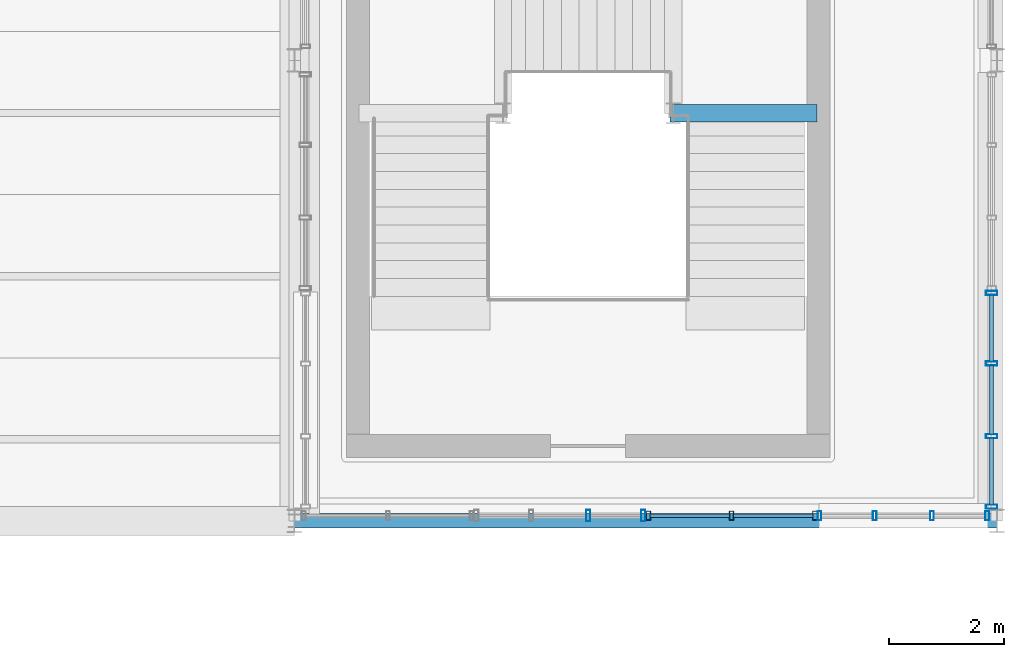
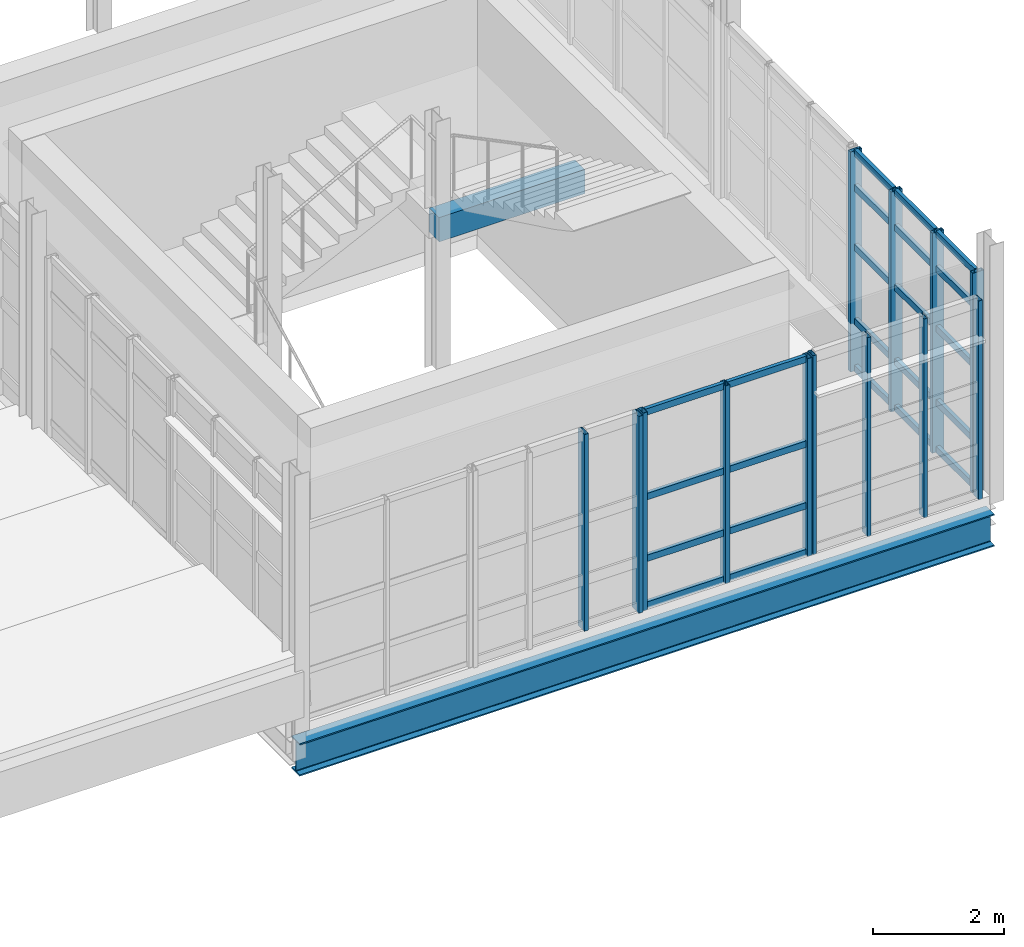
# One storey, part 50 of 100: 36 members, 2 beams, 4 elements without a shape of their own.
"""IFC4 building model written with IfcOpenShell, lengths in metres."""

from ifc_helpers import new_model, si_unit, derived_unit, direction, frame, origin, origin_2d, place, context, subcontext, project, spatial, rectangle, hollow_rectangle, i_section, extrude, material, layer, layer_set, material_profile, profile_set, type_object, element, aggregate, save


model = new_model("IFC4")

# Units and contexts
model_context = context("Model", 3, precision=1e-05, world=origin(), true_north=direction((0.0, 1.0)))
body_context = subcontext(model_context, "Body", "Model", "MODEL_VIEW")
ifc_project = project(units=[si_unit("LENGTHUNIT", "METRE"), si_unit("AREAUNIT", "SQUARE_METRE"), si_unit("VOLUMEUNIT", "CUBIC_METRE"), si_unit("PLANEANGLEUNIT", "RADIAN"), si_unit("MASSUNIT", "GRAM", prefix="KILO"), derived_unit("THERMALTRANSMITTANCEUNIT", [(si_unit("POWERUNIT", "WATT"), 1), (si_unit("LENGTHUNIT", "METRE"), -2), (si_unit("THERMODYNAMICTEMPERATUREUNIT", "KELVIN"), -1)])], contexts=[model_context])

# Site, building, storey
site_placement = place(None, origin())
site = spatial("IfcSite", under=ifc_project, at=site_placement, CompositionType="ELEMENT")
building_placement = place(site_placement, origin())
building = spatial("IfcBuilding", under=site, at=building_placement, Name="Nallur Shell Playhouse", CompositionType="ELEMENT")
storey_placement = place(building_placement, frame((0.0, 0.0, 10.199951171875)))
storey = spatial("IfcBuildingStorey", under=building, at=storey_placement, Name="L03", CompositionType="ELEMENT", Elevation=10.199951171875)

# Beams
ifc_material_1 = material(Name="Concrete M35", Category="concrete")
ifc_material_profile_1 = material_profile(ifc_material_1, rectangle(XDim=0.300048828125, YDim=0.449951171875, at=origin_2d()), Name="RC 300x450")
ifc_profile_set_1 = profile_set([ifc_material_profile_1], Name="Concrete M35")
beam_type_1 = type_object("IfcBeamType", Name="BM-SPN-300x450", PredefinedType="SPANDREL", material=ifc_profile_set_1)
beam_1_placement = place(storey_placement, frame((154.1201171875, 31.080078125, 2.72509765625), z_axis=(1.0, 0.0, 0.0), x_axis=(0.0, 1.0, 0.0)))
element("IfcBeam", 1, at=beam_1_placement, inside=storey, type_object=beam_type_1, Name="Stair ST-08-L03 L2 south bearer beam", PredefinedType="SPANDREL", context=body_context, shape_type="SweptSolid", body=[
    extrude(rectangle(XDim=0.300048828125, YDim=0.449951171875, at=origin_2d()), origin(), (0.0, 0.0, 1.0), 2.559814453125),
])
ifc_material_2 = material(Name="Steel E350", Category="steel")
ifc_material_profile_2 = material_profile(ifc_material_2, i_section(OverallWidth=0.25, OverallDepth=0.60009765625, WebThickness=0.01171875, FlangeThickness=0.023681640625, FilletRadius=0.01708984375, at=origin_2d()), Name="ISWB 600")
ifc_profile_set_2 = profile_set([ifc_material_profile_2], Name="Steel E350")
beam_type_2 = type_object("IfcBeamType", Name="BM-ST-ISWB600", PredefinedType="BEAM", material=ifc_profile_set_2)
beam_2_placement = place(storey_placement, frame((147.60009765625, 24.0, -0.56005859375), z_axis=(1.0, 0.0, 0.0), x_axis=(0.0, 1.0, 0.0)))
element("IfcBeam", 2, at=beam_2_placement, inside=storey, type_object=beam_type_2, Name="L03 girder X-C-593", PredefinedType="BEAM", context=body_context, shape_type="SweptSolid", body=[
    extrude(i_section(OverallWidth=0.25, OverallDepth=0.60009765625, WebThickness=0.01171875, FlangeThickness=0.023681640625, FilletRadius=0.01708984375, at=origin_2d()), origin(), (0.0, 0.0, 1.0), 12.199951171875),
])

# Curtain wall, members
ifc_material_3 = material(Name="Anodised Aluminium Double-Glazed Facade System", Category="aluminium")
ifc_layer_1 = layer(ifc_material_3, 0.1640625)
ifc_layer_set_1 = layer_set([ifc_layer_1], Name="Anodised Aluminium Double-Glazed Facade System")
curtain_wall_type_1 = type_object("IfcCurtainWallType", Name="CW-UNIT-25", PredefinedType="NOTDEFINED", material=ifc_layer_set_1)
curtain_wall_1_placement = place(storey_placement, origin())
curtain_wall_1 = element("IfcCurtainWall", 3, at=curtain_wall_1_placement, inside=storey, type_object=curtain_wall_type_1, Name="Unitised curtain wall CW-089 (L03)", PredefinedType="NOTDEFINED")
ifc_material_4 = material(Name="Aluminium Alloy 6063-T6 Mullion", Category="aluminium")
ifc_material_profile_3 = material_profile(ifc_material_4, hollow_rectangle(XDim=0.080078125, YDim=0.159912109375, WallThickness=0.006103515625, at=origin_2d()), Name="RHS 160x80x6")
ifc_profile_set_3 = profile_set([ifc_material_profile_3], Name="Aluminium Alloy 6063-T6 Mullion")
member_type_1 = type_object("IfcMemberType", Name="MB-CW-MUL150", PredefinedType="MULLION", material=ifc_profile_set_3)
member_1_placement = place(storey_placement, frame((156.638427734375, 24.090087890625, -0.014892578125), z_axis=(0.0, 0.0, 1.0), x_axis=(-1.0, 0.0, 0.0)))
member_1 = element("IfcMember", 4, at=member_1_placement, type_object=member_type_1, Name="CW-25 mullion 1", PredefinedType="MULLION", context=body_context, shape_type="SweptSolid", body=[
    extrude(hollow_rectangle(XDim=0.080078125, YDim=0.159912109375, WallThickness=0.006103515625, at=origin_2d()), origin(), (0.0, 0.0, 1.0), 3.673828125),
])
member_2_placement = place(storey_placement, frame((155.191650390625, 24.090087890625, -0.014892578125), z_axis=(0.0, 0.0, 1.0), x_axis=(-1.0, 0.0, 0.0)))
member_2 = element("IfcMember", 5, at=member_2_placement, type_object=member_type_1, Name="CW-25 mullion 2", PredefinedType="MULLION", context=body_context, shape_type="SweptSolid", body=[
    extrude(hollow_rectangle(XDim=0.080078125, YDim=0.159912109375, WallThickness=0.006103515625, at=origin_2d()), origin(), (0.0, 0.0, 1.0), 3.673828125),
])
member_3_placement = place(storey_placement, frame((153.7451171875, 24.090087890625, -0.014892578125), z_axis=(0.0, 0.0, 1.0), x_axis=(-1.0, 0.0, 0.0)))
member_3 = element("IfcMember", 6, at=member_3_placement, type_object=member_type_1, Name="CW-25 mullion 3", PredefinedType="MULLION", context=body_context, shape_type="SweptSolid", body=[
    extrude(hollow_rectangle(XDim=0.080078125, YDim=0.159912109375, WallThickness=0.006103515625, at=origin_2d()), origin(), (0.0, 0.0, 1.0), 3.673828125),
])

ifc_layer_2 = layer(ifc_material_3, 0.159912109375)
ifc_layer_set_2 = layer_set([ifc_layer_2], Name="Anodised Aluminium Double-Glazed Facade System")
curtain_wall_type_2 = type_object("IfcCurtainWallType", Name="CW-UNIT-24", PredefinedType="NOTDEFINED", material=ifc_layer_set_2)
curtain_wall_2_placement = place(storey_placement, origin())
curtain_wall_2 = element("IfcCurtainWall", 7, at=curtain_wall_2_placement, inside=storey, type_object=curtain_wall_type_2, Name="Unitised curtain wall CW-088 (L03)", PredefinedType="NOTDEFINED")
ifc_material_profile_4 = material_profile(ifc_material_4, hollow_rectangle(XDim=0.06494140625, YDim=0.159912109375, WallThickness=0.00390625, at=origin_2d()), Name="ALU 65x160x4")
ifc_profile_set_4 = profile_set([ifc_material_profile_4], Name="Aluminium Alloy 6063-T6 Mullion")
member_type_2 = type_object("IfcMemberType", Name="MB-CW-MUL160", PredefinedType="MULLION", material=ifc_profile_set_4)
member_4_placement = place(storey_placement, frame((159.634521484375, 24.090087890625, -0.014892578125), z_axis=(0.0, 0.0, 1.0), x_axis=(-1.0, 0.0, 0.0)))
member_4 = element("IfcMember", 8, at=member_4_placement, type_object=member_type_2, Name="CW-24 mullion 1", PredefinedType="MULLION", context=body_context, shape_type="SweptSolid", body=[
    extrude(hollow_rectangle(XDim=0.06494140625, YDim=0.159912109375, WallThickness=0.00390625, at=origin_2d()), origin(), (0.0, 0.0, 1.0), 3.69384765625),
])
member_5_placement = place(storey_placement, frame((158.674072265625, 24.090087890625, -0.014892578125), z_axis=(0.0, 0.0, 1.0), x_axis=(-1.0, 0.0, 0.0)))
member_5 = element("IfcMember", 9, at=member_5_placement, type_object=member_type_2, Name="CW-24 mullion 2", PredefinedType="MULLION", context=body_context, shape_type="SweptSolid", body=[
    extrude(hollow_rectangle(XDim=0.06494140625, YDim=0.159912109375, WallThickness=0.00390625, at=origin_2d()), origin(), (0.0, 0.0, 1.0), 3.69384765625),
])
member_6_placement = place(storey_placement, frame((157.681396484375, 24.090087890625, -0.014892578125), z_axis=(0.0, 0.0, 1.0), x_axis=(-1.0, 0.0, 0.0)))
member_6 = element("IfcMember", 10, at=member_6_placement, type_object=member_type_2, Name="CW-24 mullion 3", PredefinedType="MULLION", context=body_context, shape_type="SweptSolid", body=[
    extrude(hollow_rectangle(XDim=0.06494140625, YDim=0.159912109375, WallThickness=0.00390625, at=origin_2d()), origin(), (0.0, 0.0, 1.0), 3.69384765625),
])
member_7_placement = place(storey_placement, frame((156.720947265625, 24.090087890625, -0.014892578125), z_axis=(0.0, 0.0, 1.0), x_axis=(-1.0, 0.0, 0.0)))
member_7 = element("IfcMember", 11, at=member_7_placement, type_object=member_type_2, Name="CW-24 mullion 4", PredefinedType="MULLION", context=body_context, shape_type="SweptSolid", body=[
    extrude(hollow_rectangle(XDim=0.06494140625, YDim=0.159912109375, WallThickness=0.00390625, at=origin_2d()), origin(), (0.0, 0.0, 1.0), 3.69384765625),
])
aggregate(curtain_wall_2, [member_4, member_5, member_6, member_7])

ifc_layer_3 = layer(ifc_material_3, 0.179931640625)
ifc_layer_set_3 = layer_set([ifc_layer_3], Name="Anodised Aluminium Double-Glazed Facade System")
curtain_wall_type_3 = type_object("IfcCurtainWallType", Name="CW-UNIT-23", PredefinedType="NOTDEFINED", material=ifc_layer_set_3)
curtain_wall_3_placement = place(storey_placement, origin())
curtain_wall_3 = element("IfcCurtainWall", 12, at=curtain_wall_3_placement, inside=storey, type_object=curtain_wall_type_3, Name="Unitised curtain wall CW-087 (L03)", PredefinedType="NOTDEFINED")
ifc_material_profile_5 = material_profile(ifc_material_4, hollow_rectangle(XDim=0.074951171875, YDim=0.199951171875, WallThickness=0.0048828125, at=origin_2d()), Name="ALU 75x200x5")
ifc_profile_set_5 = profile_set([ifc_material_profile_5], Name="Aluminium Alloy 6063-T6 Mullion")
member_type_3 = type_object("IfcMemberType", Name="MB-CW-MUL180", PredefinedType="MULLION", material=ifc_profile_set_5)
member_8_placement = place(storey_placement, frame((159.7099609375, 27.95751953125, -0.014892578125), z_axis=(0.0, 0.0, 1.0), x_axis=(0.0, -1.0, 0.0)))
member_8 = element("IfcMember", 13, at=member_8_placement, type_object=member_type_3, Name="CW-23 mullion 1", PredefinedType="MULLION", context=body_context, shape_type="SweptSolid", body=[
    extrude(hollow_rectangle(XDim=0.074951171875, YDim=0.199951171875, WallThickness=0.0048828125, at=origin_2d()), origin(), (0.0, 0.0, 1.0), 4.083984375),
])
member_9_placement = place(storey_placement, frame((159.7099609375, 26.732666015625, -0.014892578125), z_axis=(0.0, 0.0, 1.0), x_axis=(0.0, -1.0, 0.0)))
member_9 = element("IfcMember", 14, at=member_9_placement, type_object=member_type_3, Name="CW-23 mullion 2", PredefinedType="MULLION", context=body_context, shape_type="SweptSolid", body=[
    extrude(hollow_rectangle(XDim=0.074951171875, YDim=0.199951171875, WallThickness=0.0048828125, at=origin_2d()), origin(), (0.0, 0.0, 1.0), 4.083984375),
])
member_10_placement = place(storey_placement, frame((159.7099609375, 25.47021484375, -0.014892578125), z_axis=(0.0, 0.0, 1.0), x_axis=(0.0, -1.0, 0.0)))
member_10 = element("IfcMember", 15, at=member_10_placement, type_object=member_type_3, Name="CW-23 mullion 3", PredefinedType="MULLION", context=body_context, shape_type="SweptSolid", body=[
    extrude(hollow_rectangle(XDim=0.074951171875, YDim=0.199951171875, WallThickness=0.0048828125, at=origin_2d()), origin(), (0.0, 0.0, 1.0), 4.083984375),
])
member_11_placement = place(storey_placement, frame((159.7099609375, 24.24560546875, -0.014892578125), z_axis=(0.0, 0.0, 1.0), x_axis=(0.0, -1.0, 0.0)))
member_11 = element("IfcMember", 16, at=member_11_placement, type_object=member_type_3, Name="CW-23 mullion 4", PredefinedType="MULLION", context=body_context, shape_type="SweptSolid", body=[
    extrude(hollow_rectangle(XDim=0.074951171875, YDim=0.199951171875, WallThickness=0.0048828125, at=origin_2d()), origin(), (0.0, 0.0, 1.0), 4.083984375),
])

ifc_layer_4 = layer(ifc_material_3, 0.16796875)
ifc_layer_set_4 = layer_set([ifc_layer_4], Name="Anodised Aluminium Double-Glazed Facade System")
curtain_wall_type_4 = type_object("IfcCurtainWallType", Name="CW-UNIT-26", PredefinedType="NOTDEFINED", material=ifc_layer_set_4)
curtain_wall_4_placement = place(storey_placement, origin())
curtain_wall_4 = element("IfcCurtainWall", 17, at=curtain_wall_4_placement, inside=storey, type_object=curtain_wall_type_4, Name="Unitised curtain wall CW-090 (L03)", PredefinedType="NOTDEFINED")
member_12_placement = place(storey_placement, frame((153.657470703125, 24.090087890625, -0.014892578125), z_axis=(0.0, 0.0, 1.0), x_axis=(-1.0, 0.0, 0.0)))
member_12 = element("IfcMember", 18, at=member_12_placement, type_object=member_type_3, Name="CW-26 mullion 1", PredefinedType="MULLION", context=body_context, shape_type="SweptSolid", body=[
    extrude(hollow_rectangle(XDim=0.074951171875, YDim=0.199951171875, WallThickness=0.0048828125, at=origin_2d()), origin(), (0.0, 0.0, 1.0), 3.654052734375),
])
member_13_placement = place(storey_placement, frame((152.703857421875, 24.090087890625, -0.014892578125), z_axis=(0.0, 0.0, 1.0), x_axis=(-1.0, 0.0, 0.0)))
member_13 = element("IfcMember", 19, at=member_13_placement, type_object=member_type_3, Name="CW-26 mullion 2", PredefinedType="MULLION", context=body_context, shape_type="SweptSolid", body=[
    extrude(hollow_rectangle(XDim=0.074951171875, YDim=0.199951171875, WallThickness=0.0048828125, at=origin_2d()), origin(), (0.0, 0.0, 1.0), 3.654052734375),
])
aggregate(curtain_wall_4, [member_12, member_13])

# Member
ifc_material_5 = material(Name="Aluminium Alloy 6063-T6 Transom", Category="aluminium")
ifc_material_profile_6 = material_profile(ifc_material_5, hollow_rectangle(XDim=0.06494140625, YDim=0.1201171875, WallThickness=0.00390625, at=origin_2d()), Name="ALU 65x120x4")
ifc_profile_set_6 = profile_set([ifc_material_profile_6], Name="Aluminium Alloy 6063-T6 Transom")
member_type_4 = type_object("IfcMemberType", Name="MB-CW-TRN120", PredefinedType="USERDEFINED", material=ifc_profile_set_6)
member_14_placement = place(storey_placement, frame((159.7099609375, 27.927978515625, 0.032470703125), z_axis=(0.0, -1.0, 0.0), x_axis=(1.0, 0.0, 0.0)))
member_14 = element("IfcMember", 20, at=member_14_placement, type_object=member_type_4, Name="CW-23 transom 1.1", ObjectType="TRANSOM", PredefinedType="USERDEFINED", context=body_context, shape_type="SweptSolid", body=[
    extrude(hollow_rectangle(XDim=0.06494140625, YDim=0.1201171875, WallThickness=0.00390625, at=origin_2d()), origin(), (0.0, 0.0, 1.0), 1.165771484375),
])

member_15_placement = place(storey_placement, frame((159.7099609375, 27.927978515625, 0.900146484375), z_axis=(0.0, -1.0, 0.0), x_axis=(1.0, 0.0, 0.0)))
member_15 = element("IfcMember", 21, at=member_15_placement, type_object=member_type_4, Name="CW-23 transom 1.2", ObjectType="TRANSOM", PredefinedType="USERDEFINED", context=body_context, shape_type="SweptSolid", body=[
    extrude(hollow_rectangle(XDim=0.06494140625, YDim=0.1201171875, WallThickness=0.00390625, at=origin_2d()), origin(), (0.0, 0.0, 1.0), 1.165771484375),
])

member_16_placement = place(storey_placement, frame((159.7099609375, 27.927978515625, 2.276123046875), z_axis=(0.0, -1.0, 0.0), x_axis=(1.0, 0.0, 0.0)))
member_16 = element("IfcMember", 22, at=member_16_placement, type_object=member_type_4, Name="CW-23 transom 1.3", ObjectType="TRANSOM", PredefinedType="USERDEFINED", context=body_context, shape_type="SweptSolid", body=[
    extrude(hollow_rectangle(XDim=0.06494140625, YDim=0.1201171875, WallThickness=0.00390625, at=origin_2d()), origin(), (0.0, 0.0, 1.0), 1.165771484375),
])

member_17_placement = place(storey_placement, frame((159.7099609375, 27.927978515625, 3.385009765625), z_axis=(0.0, -1.0, 0.0), x_axis=(1.0, 0.0, 0.0)))
member_17 = element("IfcMember", 23, at=member_17_placement, type_object=member_type_4, Name="CW-23 transom 1.4", ObjectType="TRANSOM", PredefinedType="USERDEFINED", context=body_context, shape_type="SweptSolid", body=[
    extrude(hollow_rectangle(XDim=0.06494140625, YDim=0.1201171875, WallThickness=0.00390625, at=origin_2d()), origin(), (0.0, 0.0, 1.0), 1.165771484375),
])

member_18_placement = place(storey_placement, frame((159.7099609375, 27.927978515625, 4.032470703125), z_axis=(0.0, -1.0, 0.0), x_axis=(1.0, 0.0, 0.0)))
member_18 = element("IfcMember", 24, at=member_18_placement, type_object=member_type_4, Name="CW-23 transom 1.5", ObjectType="TRANSOM", PredefinedType="USERDEFINED", context=body_context, shape_type="SweptSolid", body=[
    extrude(hollow_rectangle(XDim=0.06494140625, YDim=0.1201171875, WallThickness=0.00390625, at=origin_2d()), origin(), (0.0, 0.0, 1.0), 1.165771484375),
])

member_19_placement = place(storey_placement, frame((159.7099609375, 26.703125, 0.032470703125), z_axis=(0.0, -1.0, 0.0), x_axis=(1.0, 0.0, 0.0)))
member_19 = element("IfcMember", 25, at=member_19_placement, type_object=member_type_4, Name="CW-23 transom 2.1", ObjectType="TRANSOM", PredefinedType="USERDEFINED", context=body_context, shape_type="SweptSolid", body=[
    extrude(hollow_rectangle(XDim=0.06494140625, YDim=0.1201171875, WallThickness=0.00390625, at=origin_2d()), origin(), (0.0, 0.0, 1.0), 1.203369140625),
])

member_20_placement = place(storey_placement, frame((159.7099609375, 26.703125, 0.900146484375), z_axis=(0.0, -1.0, 0.0), x_axis=(1.0, 0.0, 0.0)))
member_20 = element("IfcMember", 26, at=member_20_placement, type_object=member_type_4, Name="CW-23 transom 2.2", ObjectType="TRANSOM", PredefinedType="USERDEFINED", context=body_context, shape_type="SweptSolid", body=[
    extrude(hollow_rectangle(XDim=0.06494140625, YDim=0.1201171875, WallThickness=0.00390625, at=origin_2d()), origin(), (0.0, 0.0, 1.0), 1.203369140625),
])

member_21_placement = place(storey_placement, frame((159.7099609375, 26.703125, 2.276123046875), z_axis=(0.0, -1.0, 0.0), x_axis=(1.0, 0.0, 0.0)))
member_21 = element("IfcMember", 27, at=member_21_placement, type_object=member_type_4, Name="CW-23 transom 2.3", ObjectType="TRANSOM", PredefinedType="USERDEFINED", context=body_context, shape_type="SweptSolid", body=[
    extrude(hollow_rectangle(XDim=0.06494140625, YDim=0.1201171875, WallThickness=0.00390625, at=origin_2d()), origin(), (0.0, 0.0, 1.0), 1.203369140625),
])

member_22_placement = place(storey_placement, frame((159.7099609375, 26.703125, 3.385009765625), z_axis=(0.0, -1.0, 0.0), x_axis=(1.0, 0.0, 0.0)))
member_22 = element("IfcMember", 28, at=member_22_placement, type_object=member_type_4, Name="CW-23 transom 2.4", ObjectType="TRANSOM", PredefinedType="USERDEFINED", context=body_context, shape_type="SweptSolid", body=[
    extrude(hollow_rectangle(XDim=0.06494140625, YDim=0.1201171875, WallThickness=0.00390625, at=origin_2d()), origin(), (0.0, 0.0, 1.0), 1.203369140625),
])

member_23_placement = place(storey_placement, frame((159.7099609375, 26.703125, 4.032470703125), z_axis=(0.0, -1.0, 0.0), x_axis=(1.0, 0.0, 0.0)))
member_23 = element("IfcMember", 29, at=member_23_placement, type_object=member_type_4, Name="CW-23 transom 2.5", ObjectType="TRANSOM", PredefinedType="USERDEFINED", context=body_context, shape_type="SweptSolid", body=[
    extrude(hollow_rectangle(XDim=0.06494140625, YDim=0.1201171875, WallThickness=0.00390625, at=origin_2d()), origin(), (0.0, 0.0, 1.0), 1.203369140625),
])

member_24_placement = place(storey_placement, frame((159.7099609375, 25.44091796875, 0.032470703125), z_axis=(0.0, -1.0, 0.0), x_axis=(1.0, 0.0, 0.0)))
member_24 = element("IfcMember", 30, at=member_24_placement, type_object=member_type_4, Name="CW-23 transom 3.1", ObjectType="TRANSOM", PredefinedType="USERDEFINED", context=body_context, shape_type="SweptSolid", body=[
    extrude(hollow_rectangle(XDim=0.06494140625, YDim=0.1201171875, WallThickness=0.00390625, at=origin_2d()), origin(), (0.0, 0.0, 1.0), 1.166015625),
])

member_25_placement = place(storey_placement, frame((159.7099609375, 25.44091796875, 0.900146484375), z_axis=(0.0, -1.0, 0.0), x_axis=(1.0, 0.0, 0.0)))
member_25 = element("IfcMember", 31, at=member_25_placement, type_object=member_type_4, Name="CW-23 transom 3.2", ObjectType="TRANSOM", PredefinedType="USERDEFINED", context=body_context, shape_type="SweptSolid", body=[
    extrude(hollow_rectangle(XDim=0.06494140625, YDim=0.1201171875, WallThickness=0.00390625, at=origin_2d()), origin(), (0.0, 0.0, 1.0), 1.166015625),
])

member_26_placement = place(storey_placement, frame((159.7099609375, 25.44091796875, 2.276123046875), z_axis=(0.0, -1.0, 0.0), x_axis=(1.0, 0.0, 0.0)))
member_26 = element("IfcMember", 32, at=member_26_placement, type_object=member_type_4, Name="CW-23 transom 3.3", ObjectType="TRANSOM", PredefinedType="USERDEFINED", context=body_context, shape_type="SweptSolid", body=[
    extrude(hollow_rectangle(XDim=0.06494140625, YDim=0.1201171875, WallThickness=0.00390625, at=origin_2d()), origin(), (0.0, 0.0, 1.0), 1.166015625),
])

member_27_placement = place(storey_placement, frame((159.7099609375, 25.44091796875, 3.385009765625), z_axis=(0.0, -1.0, 0.0), x_axis=(1.0, 0.0, 0.0)))
member_27 = element("IfcMember", 33, at=member_27_placement, type_object=member_type_4, Name="CW-23 transom 3.4", ObjectType="TRANSOM", PredefinedType="USERDEFINED", context=body_context, shape_type="SweptSolid", body=[
    extrude(hollow_rectangle(XDim=0.06494140625, YDim=0.1201171875, WallThickness=0.00390625, at=origin_2d()), origin(), (0.0, 0.0, 1.0), 1.166015625),
])

member_28_placement = place(storey_placement, frame((159.7099609375, 25.44091796875, 4.032470703125), z_axis=(0.0, -1.0, 0.0), x_axis=(1.0, 0.0, 0.0)))
member_28 = element("IfcMember", 34, at=member_28_placement, type_object=member_type_4, Name="CW-23 transom 3.5", ObjectType="TRANSOM", PredefinedType="USERDEFINED", context=body_context, shape_type="SweptSolid", body=[
    extrude(hollow_rectangle(XDim=0.06494140625, YDim=0.1201171875, WallThickness=0.00390625, at=origin_2d()), origin(), (0.0, 0.0, 1.0), 1.166015625),
])

aggregate(curtain_wall_3, [member_8, member_9, member_10, member_11, member_14, member_15, member_16, member_17, member_18, member_19, member_20, member_21, member_22, member_23, member_24, member_25, member_26, member_27, member_28])

member_29_placement = place(storey_placement, frame((156.6064453125, 24.090087890625, 0.032470703125), z_axis=(-1.0, 0.0, 0.0), x_axis=(0.0, -1.0, 0.0)))
member_29 = element("IfcMember", 35, at=member_29_placement, type_object=member_type_4, Name="CW-25 transom 1.1", ObjectType="TRANSOM", PredefinedType="USERDEFINED", context=body_context, shape_type="SweptSolid", body=[
    extrude(hollow_rectangle(XDim=0.06494140625, YDim=0.1201171875, WallThickness=0.00390625, at=origin_2d()), origin(), (0.0, 0.0, 1.0), 1.3828125),
])

member_30_placement = place(storey_placement, frame((156.6064453125, 24.090087890625, 0.900146484375), z_axis=(-1.0, 0.0, 0.0), x_axis=(0.0, -1.0, 0.0)))
member_30 = element("IfcMember", 36, at=member_30_placement, type_object=member_type_4, Name="CW-25 transom 1.2", ObjectType="TRANSOM", PredefinedType="USERDEFINED", context=body_context, shape_type="SweptSolid", body=[
    extrude(hollow_rectangle(XDim=0.06494140625, YDim=0.1201171875, WallThickness=0.00390625, at=origin_2d()), origin(), (0.0, 0.0, 1.0), 1.3828125),
])

member_31_placement = place(storey_placement, frame((156.6064453125, 24.090087890625, 2.047119140625), z_axis=(-1.0, 0.0, 0.0), x_axis=(0.0, -1.0, 0.0)))
member_31 = element("IfcMember", 37, at=member_31_placement, type_object=member_type_4, Name="CW-25 transom 1.3", ObjectType="TRANSOM", PredefinedType="USERDEFINED", context=body_context, shape_type="SweptSolid", body=[
    extrude(hollow_rectangle(XDim=0.06494140625, YDim=0.1201171875, WallThickness=0.00390625, at=origin_2d()), origin(), (0.0, 0.0, 1.0), 1.3828125),
])

member_32_placement = place(storey_placement, frame((156.6064453125, 24.090087890625, 3.62255859375), z_axis=(-1.0, 0.0, 0.0), x_axis=(0.0, -1.0, 0.0)))
member_32 = element("IfcMember", 38, at=member_32_placement, type_object=member_type_4, Name="CW-25 transom 1.4", ObjectType="TRANSOM", PredefinedType="USERDEFINED", context=body_context, shape_type="SweptSolid", body=[
    extrude(hollow_rectangle(XDim=0.06494140625, YDim=0.1201171875, WallThickness=0.00390625, at=origin_2d()), origin(), (0.0, 0.0, 1.0), 1.3828125),
])

member_33_placement = place(storey_placement, frame((155.15966796875, 24.090087890625, 0.032470703125), z_axis=(-1.0, 0.0, 0.0), x_axis=(0.0, -1.0, 0.0)))
member_33 = element("IfcMember", 39, at=member_33_placement, type_object=member_type_4, Name="CW-25 transom 2.1", ObjectType="TRANSOM", PredefinedType="USERDEFINED", context=body_context, shape_type="SweptSolid", body=[
    extrude(hollow_rectangle(XDim=0.06494140625, YDim=0.1201171875, WallThickness=0.00390625, at=origin_2d()), origin(), (0.0, 0.0, 1.0), 1.382568359375),
])

member_34_placement = place(storey_placement, frame((155.15966796875, 24.090087890625, 0.900146484375), z_axis=(-1.0, 0.0, 0.0), x_axis=(0.0, -1.0, 0.0)))
member_34 = element("IfcMember", 40, at=member_34_placement, type_object=member_type_4, Name="CW-25 transom 2.2", ObjectType="TRANSOM", PredefinedType="USERDEFINED", context=body_context, shape_type="SweptSolid", body=[
    extrude(hollow_rectangle(XDim=0.06494140625, YDim=0.1201171875, WallThickness=0.00390625, at=origin_2d()), origin(), (0.0, 0.0, 1.0), 1.382568359375),
])

member_35_placement = place(storey_placement, frame((155.15966796875, 24.090087890625, 2.047119140625), z_axis=(-1.0, 0.0, 0.0), x_axis=(0.0, -1.0, 0.0)))
member_35 = element("IfcMember", 41, at=member_35_placement, type_object=member_type_4, Name="CW-25 transom 2.3", ObjectType="TRANSOM", PredefinedType="USERDEFINED", context=body_context, shape_type="SweptSolid", body=[
    extrude(hollow_rectangle(XDim=0.06494140625, YDim=0.1201171875, WallThickness=0.00390625, at=origin_2d()), origin(), (0.0, 0.0, 1.0), 1.382568359375),
])

member_36_placement = place(storey_placement, frame((155.15966796875, 24.090087890625, 3.62255859375), z_axis=(-1.0, 0.0, 0.0), x_axis=(0.0, -1.0, 0.0)))
member_36 = element("IfcMember", 42, at=member_36_placement, type_object=member_type_4, Name="CW-25 transom 2.4", ObjectType="TRANSOM", PredefinedType="USERDEFINED", context=body_context, shape_type="SweptSolid", body=[
    extrude(hollow_rectangle(XDim=0.06494140625, YDim=0.1201171875, WallThickness=0.00390625, at=origin_2d()), origin(), (0.0, 0.0, 1.0), 1.382568359375),
])

aggregate(curtain_wall_1, [member_1, member_2, member_3, member_29, member_30, member_31, member_32, member_33, member_34, member_35, member_36])

save(model, "model.ifc")
